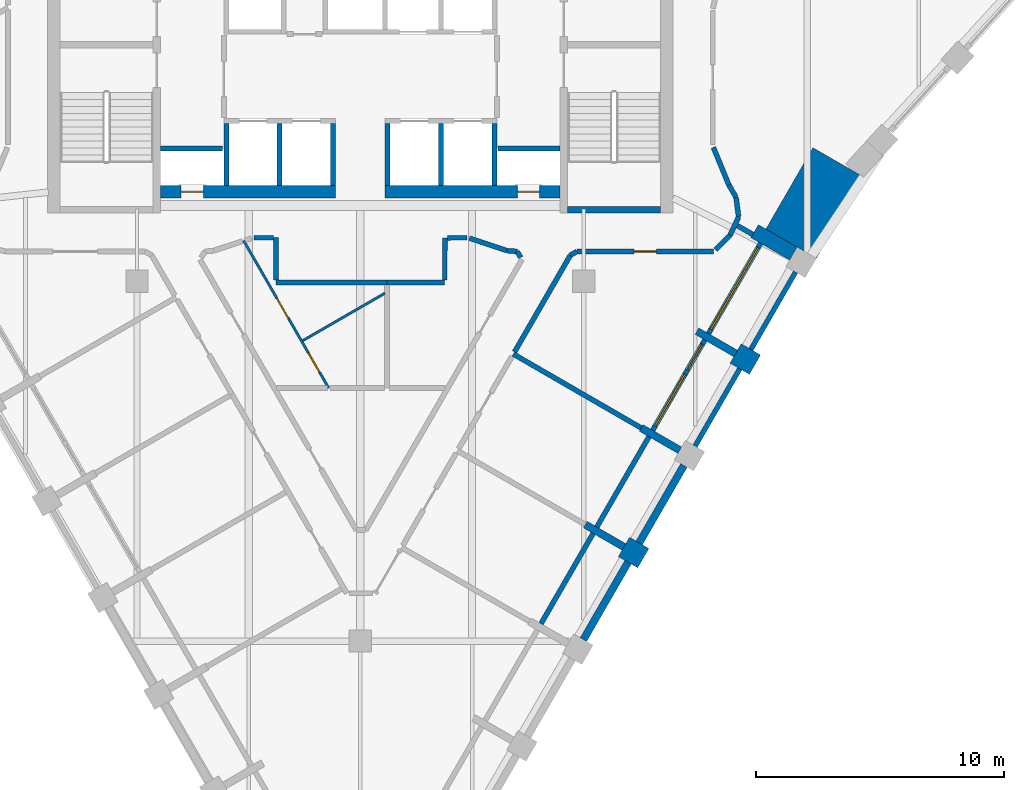
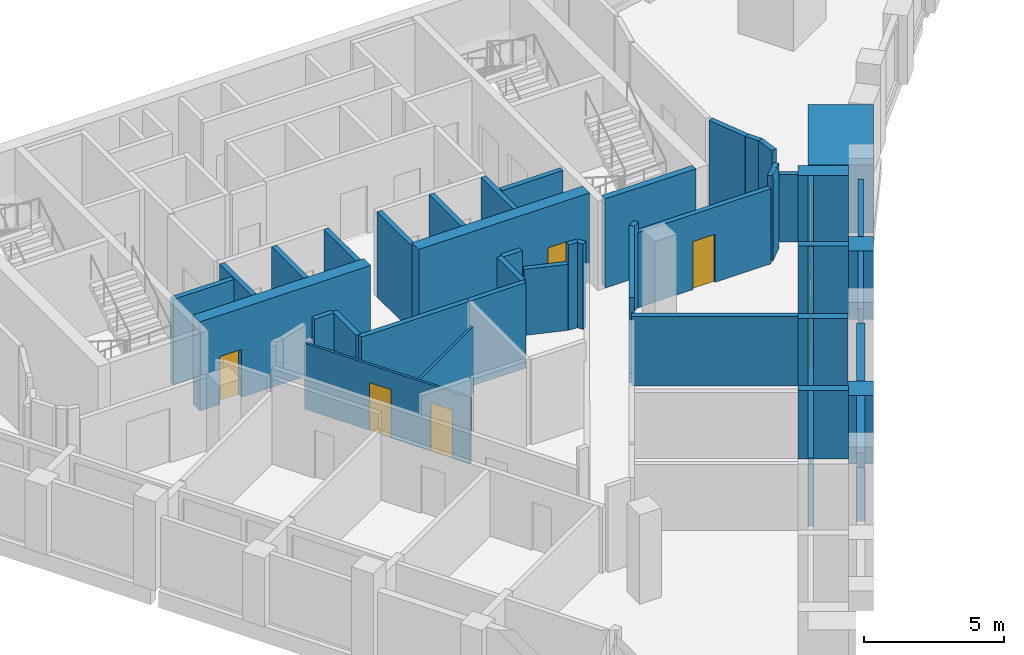
# One storey, part 4 of 8: 47 walls, 6 doors, 2 windows, 8 openings.
"""IFC4 building model written with IfcOpenShell, lengths in metres."""

from ifc_helpers import new_model, si_unit, direction, frame, frame_2d, origin, place, context, subcontext, project, spatial, polyline, rectangle, outline, extrude, material, layer, layer_set, type_object, element, fill, save


model = new_model("IFC4")

# Units and contexts
model_context = context("Model", 3, precision=1e-05, world=origin(), true_north=direction((0.0, 1.0)))
body_context = subcontext(model_context, "Body", "Model", "MODEL_VIEW")
ifc_project = project(units=[si_unit("LENGTHUNIT", "METRE"), si_unit("AREAUNIT", "SQUARE_METRE"), si_unit("VOLUMEUNIT", "CUBIC_METRE"), si_unit("PLANEANGLEUNIT", "RADIAN"), si_unit("MASSUNIT", "GRAM", prefix="KILO")], contexts=[model_context])

# Site, building, storey
site_placement = place(None, origin())
site = spatial("IfcSite", under=ifc_project, at=site_placement, CompositionType="ELEMENT")
building_placement = place(site_placement, origin())
building = spatial("IfcBuilding", under=site, at=building_placement, Name="Calabash Gate Tower", CompositionType="ELEMENT")
storey_placement = place(building_placement, frame((0.0, 0.0, 252.10009765625)))
storey = spatial("IfcBuildingStorey", under=building, at=storey_placement, Name="L60", CompositionType="ELEMENT", Elevation=252.10009765625)

# Walls
ifc_material_1 = material(Name="Terracotta brick masonry, exposed face", Category="masonry")
ifc_layer_1 = layer(ifc_material_1, 2.35009765625)
ifc_layer_set_1 = layer_set([ifc_layer_1], Name="Brick corner mass wall 2350")
wall_type_1 = type_object("IfcWallType", Name="Brick corner mass wall 2350", PredefinedType="SOLIDWALL", material=ifc_layer_set_1)
wall_1_placement = place(storey_placement, origin())
element("IfcWall", 1, at=wall_1_placement, inside=storey, type_object=wall_type_1, Name="Brick corner pier S17 2", PredefinedType="SOLIDWALL", context=body_context, shape_type="SweptSolid", body=[
    extrude(outline(polyline([(18.377685546875, 3.423828125), (18.377685546875, 3.423583984375), (18.377685546875, 3.423583984375), (20.271240234375, 6.703125), (18.236083984375, 7.878173828125), (16.342529296875, 4.5986328125), (17.598388671875, 3.873779296875), (17.598388671875, 3.873779296875), (18.377685546875, 3.423828125)])), origin(), (0.0, 0.0, 1.0), 2.973388671875),
])
ifc_material_2 = material(Name="Terracotta brick masonry, exposed face", Category="masonry")
ifc_layer_2 = layer(ifc_material_2, 0.89990234375)
ifc_layer_set_2 = layer_set([ifc_layer_2], Name="Brick end wall 900")
wall_type_2 = type_object("IfcWallType", Name="Brick end wall 900", PredefinedType="SOLIDWALL", material=ifc_layer_set_2)
wall_2_placement = place(storey_placement, frame((10.7880859375, -8.822021484375, 0.0), z_axis=(0.0, 0.0, 1.0), x_axis=(0.50001992892, 0.866013897511, 0.0)))
element("IfcWall", 2, at=wall_2_placement, inside=storey, type_object=wall_type_2, Name="Brick pier S17 SE2.3", PredefinedType="SOLIDWALL", context=body_context, shape_type="SweptSolid", body=[
    extrude(rectangle(XDim=0.89990234375, YDim=0.89990234375, at=frame_2d((0.449951171875, 0.0))), origin(), (0.0, 0.0, 1.0), 3.0),
])
wall_3_placement = place(storey_placement, frame((15.123291015625, -0.4130859375, 0.0), z_axis=(0.0, 0.0, 1.0), x_axis=(0.865964261186, -0.500105887137, 0.0)))
element("IfcWall", 3, at=wall_3_placement, inside=storey, type_object=wall_type_2, Name="Brick pier S17 SE2.5", PredefinedType="SOLIDWALL", context=body_context, shape_type="SweptSolid", body=[
    extrude(rectangle(XDim=0.900146484375, YDim=0.89990234375, at=frame_2d((0.4501953125, 0.0))), origin(), (0.0, 0.0, 1.0), 3.0),
])
ifc_material_3 = material(Name="Terracotta brick masonry, exposed face", Category="masonry")
ifc_layer_3 = layer(ifc_material_3, 0.300048828125)
ifc_layer_set_3 = layer_set([ifc_layer_3], Name="Brick infill panel wall 300")
wall_type_3 = type_object("IfcWallType", Name="Brick infill panel wall 300", PredefinedType="SOLIDWALL", material=ifc_layer_set_3)
for number, where, z_axis, x_axis, name in (
    (4, (8.988037109375, -11.939697265625, 0.0), (0.0, 0.0, 1.0), (0.500012057535, 0.866018442252, 0.0), "Brick panel S17 SE2.3"),
    (5, (11.238037109375, -8.042724609375, 0.0), (0.0, 0.0, 1.0), (0.500012057535, 0.866018442252, 0.0), "Brick panel S17 SE2.4"),
):
    element("IfcWall", number, at=place(storey_placement, frame(where, z_axis=z_axis, x_axis=x_axis)), inside=storey, type_object=wall_type_3, Name=name, PredefinedType="SOLIDWALL", context=body_context, shape_type="SweptSolid", body=[
        extrude(rectangle(XDim=3.60009765625, YDim=0.300048828125, at=frame_2d((1.800048828125, 0.0))), origin(), (0.0, 0.0, 1.0), 3.0),
    ])
ifc_material_4 = material(Name="Terracotta brick masonry, exposed face", Category="masonry")
ifc_layer_4 = layer(ifc_material_4, 0.300048828125)
ifc_layer_set_4 = layer_set([ifc_layer_4], Name="Brick loggia cheek wall 300")
wall_type_4 = type_object("IfcWallType", Name="Brick loggia cheek wall 300", PredefinedType="SOLIDWALL", material=ifc_layer_set_4)
wall_4_placement = place(storey_placement, frame((9.064453125, -7.307373046875, 0.0), z_axis=(0.0, 0.0, 1.0), x_axis=(0.865989075817, -0.500062916607, 0.0)))
element("IfcWall", 6, at=wall_4_placement, inside=storey, type_object=wall_type_4, Name="Loggia cheek S17 SE2.3", PredefinedType="SOLIDWALL", context=body_context, shape_type="SweptSolid", body=[
    extrude(rectangle(XDim=1.800048828125, YDim=0.300048828125, at=frame_2d((0.89990234375, 0.0))), origin(), (0.0, 0.0, 1.0), 3.0),
])
wall_5_placement = place(storey_placement, frame((11.314453125, -3.410400390625, 0.0), z_axis=(0.0, 0.0, 1.0), x_axis=(0.866029639064, -0.499992664208, 0.0)))
element("IfcWall", 7, at=wall_5_placement, inside=storey, type_object=wall_type_4, Name="Loggia cheek S17 SE2.4", PredefinedType="SOLIDWALL", context=body_context, shape_type="SweptSolid", body=[
    extrude(rectangle(XDim=1.798828125, YDim=0.300048828125, at=frame_2d((0.8994140625, 0.0))), origin(), (0.0, 0.0, 1.0), 3.0),
])
wall_6_placement = place(storey_placement, frame((15.123291015625, -0.4130859375, 0.0), z_axis=(0.0, 0.0, 1.0), x_axis=(-0.866047807691, 0.499961193289, 0.0)))
element("IfcWall", 8, at=wall_6_placement, inside=storey, type_object=wall_type_4, Name="Loggia cheek S17 SE2.5", PredefinedType="SOLIDWALL", context=body_context, shape_type="SweptSolid", body=[
    extrude(rectangle(XDim=1.800048828125, YDim=0.300048828125, at=frame_2d((0.89990234375, 0.0))), origin(), (0.0, 0.0, 1.0), 3.0),
])
wall_7_placement = place(storey_placement, frame((17.4482421875, 3.61376953125, 0.0), z_axis=(0.0, 0.0, 1.0), x_axis=(-0.865989075817, 0.500062916607, 0.0)))
element("IfcWall", 9, at=wall_7_placement, inside=storey, type_object=wall_type_4, Name="Loggia cheek S17 SE2.6", PredefinedType="SOLIDWALL", context=body_context, shape_type="SweptSolid", body=[
    extrude(rectangle(XDim=1.800048828125, YDim=0.60009765625, at=frame_2d((0.89990234375, 0.0))), origin(), (0.0, 0.0, 1.0), 2.949951171875),
])
ifc_material_5 = material(Name="Concrete C60/75", Category="concrete")
ifc_layer_5 = layer(ifc_material_5, 0.25)
ifc_layer_set_5 = layer_set([ifc_layer_5], Name="Core wall 250 Concrete C60/75")
wall_type_5 = type_object("IfcWallType", Name="Core wall 250 Concrete C60/75", PredefinedType="SHEAR", material=ifc_layer_set_5)
wall_8_placement = place(storey_placement, frame((8.35009765625, 5.377685546875, 0.0), z_axis=(0.0, 0.0, 1.0), x_axis=(1.0, 0.0, 0.0)))
element("IfcWall", 10, at=wall_8_placement, inside=storey, type_object=wall_type_5, Name="Core wall Z5-SSE L60", PredefinedType="SHEAR", context=body_context, shape_type="SweptSolid", body=[
    extrude(rectangle(XDim=3.75, YDim=0.25, at=frame_2d((1.875, 0.0))), origin(), (0.0, 0.0, 1.0), 3.89990234375),
])

# Wall, opening, door
ifc_material_6 = material(Name="Concrete C60/75", Category="concrete")
ifc_layer_6 = layer(ifc_material_6, 0.5)
ifc_layer_set_6 = layer_set([ifc_layer_6], Name="Core wall 500 Concrete C60/75")
wall_type_6 = type_object("IfcWallType", Name="Core wall 500 Concrete C60/75", PredefinedType="SHEAR", material=ifc_layer_set_6)
wall_9_placement = place(storey_placement, frame((-8.050048828125, 6.1025390625, 0.0), z_axis=(0.0, 0.0, 1.0), x_axis=(1.0, 0.0, 0.0)))
wall_9 = element("IfcWall", 11, at=wall_9_placement, inside=storey, type_object=wall_type_6, Name="Core wall Z5-SA L60", PredefinedType="SHEAR", context=body_context, shape_type="SweptSolid", body=[
    extrude(rectangle(XDim=7.050048828125, YDim=0.5, at=frame_2d((3.52490234375, 0.0))), origin(), (0.0, 0.0, 1.0), 3.89990234375),
])
opening_1_placement = place(wall_9_placement, frame((0.824951171875, 0.0, 0.0)))
opening_1 = element("IfcOpeningElement", 12, at=opening_1_placement, cuts=wall_9, Name="Opening O9-010", PredefinedType="OPENING", context=body_context, shape_type="SweptSolid", body=[
    extrude(rectangle(XDim=0.89990234375, YDim=2.10009765625, at=frame_2d((0.449951171875, 1.050048828125))), frame((0.0, 0.260009765625, 0.0), z_axis=(0.0, -1.0, 0.0), x_axis=(1.0, 0.0, 0.0)), (0.0, 0.0, 1.0), 0.52001953125),
])
ifc_material_7 = material(Name="Steel fire door set with fire-resisting glazing", Category="steel")
door_type_1 = type_object("IfcDoorType", Name="Fire door D07 900x2100 FD90", OperationType="NOTDEFINED", PredefinedType="DOOR", material=ifc_material_7)
door_1_placement = place(opening_1_placement, origin())
door_1 = element("IfcDoor", 13, at=door_1_placement, inside=storey, type_object=door_type_1, Name="Electrical Riser W door", OperationType="SINGLE_SWING_LEFT", OverallHeight=2.10009765625, OverallWidth=0.89990234375, PredefinedType="DOOR", context=body_context, shape_type="SweptSolid", body=[
    extrude(rectangle(XDim=0.89990234375, YDim=2.10009765625, at=frame_2d((0.449951171875, 1.050048828125))), frame((0.0, 0.02490234375, 0.0), z_axis=(0.0, -1.0, 0.0), x_axis=(1.0, 0.0, 0.0)), (0.0, 0.0, 1.0), 0.050048828125),
])
fill(opening_1, door_1)

wall_10_placement = place(storey_placement, frame((1.0, 6.1025390625, 0.0), z_axis=(0.0, 0.0, 1.0), x_axis=(1.0, 0.0, 0.0)))
wall_10 = element("IfcWall", 14, at=wall_10_placement, inside=storey, type_object=wall_type_6, Name="Core wall Z5-SB L60", PredefinedType="SHEAR", context=body_context, shape_type="SweptSolid", body=[
    extrude(rectangle(XDim=7.050048828125, YDim=0.5, at=frame_2d((3.52490234375, 0.0))), origin(), (0.0, 0.0, 1.0), 3.89990234375),
])
opening_2_placement = place(wall_10_placement, frame((5.324951171875, 0.0, 0.0)))
opening_2 = element("IfcOpeningElement", 15, at=opening_2_placement, cuts=wall_10, Name="Opening O9-009", PredefinedType="OPENING", context=body_context, shape_type="SweptSolid", body=[
    extrude(rectangle(XDim=0.89990234375, YDim=2.10009765625, at=frame_2d((0.449951171875, 1.050048828125))), frame((0.0, 0.260009765625, 0.0), z_axis=(0.0, -1.0, 0.0), x_axis=(1.0, 0.0, 0.0)), (0.0, 0.0, 1.0), 0.52001953125),
])
door_2_placement = place(opening_2_placement, origin())
door_2 = element("IfcDoor", 16, at=door_2_placement, inside=storey, type_object=door_type_1, Name="Mechanical Riser E door", OperationType="SINGLE_SWING_RIGHT", OverallHeight=2.10009765625, OverallWidth=0.89990234375, PredefinedType="DOOR", context=body_context, shape_type="SweptSolid", body=[
    extrude(rectangle(XDim=0.89990234375, YDim=2.10009765625, at=frame_2d((0.449951171875, 1.050048828125))), frame((0.0, 0.02490234375, 0.0), z_axis=(0.0, -1.0, 0.0), x_axis=(1.0, 0.0, 0.0)), (0.0, 0.0, 1.0), 0.050048828125),
])
fill(opening_2, door_2)

# Wall
ifc_material_8 = material(Name="Gypsum board on steel studs, mineral wool", Category="steel")
ifc_layer_7 = layer(ifc_material_8, 0.10009765625)
ifc_layer_set_7 = layer_set([ifc_layer_7], Name="Partition 100 gypsum board")
wall_type_7 = type_object("IfcWallType", Name="Partition 100 gypsum board", PredefinedType="PARTITIONING", material=ifc_layer_set_7)
wall_11_placement = place(storey_placement, frame((-2.320068359375, 0.105712890625, 0.0), z_axis=(0.0, 0.0, 1.0), x_axis=(0.866013238859, 0.500021069677, 0.0)))
element("IfcWall", 17, at=wall_11_placement, inside=storey, type_object=wall_type_7, Name="Partition", PredefinedType="PARTITIONING", context=body_context, shape_type="SweptSolid", body=[
    extrude(rectangle(XDim=3.821533203125, YDim=0.10009765625, at=frame_2d((1.91064453125, 0.0))), origin(), (0.0, 0.0, 1.0), 2.884033203125),
])

# Wall, openings, doors
wall_12_placement = place(storey_placement, frame((-4.702392578125, 4.13232421875, 0.0), z_axis=(0.0, 0.0, 1.0), x_axis=(0.499966025771, -0.866045017926, 0.0)))
wall_12 = element("IfcWall", 18, at=wall_12_placement, inside=storey, type_object=wall_type_7, Name="Partition", PredefinedType="PARTITIONING", context=body_context, shape_type="SweptSolid", body=[
    extrude(rectangle(XDim=6.8544921875, YDim=0.10009765625, at=frame_2d((3.42724609375, 0.0))), origin(), (0.0, 0.0, 1.0), 2.884033203125),
])
opening_3_placement = place(wall_12_placement, frame((2.68798828125, 0.0, 0.0)))
opening_3 = element("IfcOpeningElement", 19, at=opening_3_placement, cuts=wall_12, Name="Opening 59-61-014", PredefinedType="OPENING", context=body_context, shape_type="SweptSolid", body=[
    extrude(rectangle(XDim=0.89990234375, YDim=2.10009765625, at=frame_2d((0.449951171875, 1.050048828125))), frame((0.0, 0.06005859375, 0.0), z_axis=(0.0, -1.0, 0.0), x_axis=(1.0, 0.0, 0.0)), (0.0, 0.0, 1.0), 0.1201171875),
])
opening_4_placement = place(wall_12_placement, frame((5.215576171875, 0.0, 0.0)))
opening_4 = element("IfcOpeningElement", 20, at=opening_4_placement, cuts=wall_12, Name="Opening 59-61-015", PredefinedType="OPENING", context=body_context, shape_type="SweptSolid", body=[
    extrude(rectangle(XDim=0.89990234375, YDim=2.10009765625, at=frame_2d((0.449951171875, 1.050048828125))), frame((0.0, 0.06005859375, 0.0), z_axis=(0.0, -1.0, 0.0), x_axis=(1.0, 0.0, 0.0)), (0.0, 0.0, 1.0), 0.1201171875),
])
ifc_material_9 = material(Name="Painted timber door", Category="wood")
door_type_2 = type_object("IfcDoorType", Name="WD1 WC door 900x2100", OperationType="NOTDEFINED", PredefinedType="DOOR", material=ifc_material_9)
door_3_placement = place(opening_3_placement, origin())
door_3 = element("IfcDoor", 21, at=door_3_placement, inside=storey, type_object=door_type_2, Name="WC door", OperationType="SINGLE_SWING_LEFT", OverallHeight=2.10009765625, OverallWidth=0.89990234375, PredefinedType="DOOR", context=body_context, shape_type="SweptSolid", body=[
    extrude(rectangle(XDim=0.89990234375, YDim=2.10009765625, at=frame_2d((0.449951171875, 1.050048828125))), frame((0.0, 0.02490234375, 0.0), z_axis=(0.0, -1.0, 0.0), x_axis=(1.0, 0.0, 0.0)), (0.0, 0.0, 1.0), 0.050048828125),
])
fill(opening_3, door_3)
door_4_placement = place(opening_4_placement, origin())
door_4 = element("IfcDoor", 22, at=door_4_placement, inside=storey, type_object=door_type_2, Name="WC door", OperationType="SINGLE_SWING_RIGHT", OverallHeight=2.10009765625, OverallWidth=0.89990234375, PredefinedType="DOOR", context=body_context, shape_type="SweptSolid", body=[
    extrude(rectangle(XDim=0.89990234375, YDim=2.10009765625, at=frame_2d((0.449951171875, 1.050048828125))), frame((0.0, 0.02490234375, 0.0), z_axis=(0.0, -1.0, 0.0), x_axis=(1.0, 0.0, 0.0)), (0.0, 0.0, 1.0), 0.050048828125),
])
fill(opening_4, door_4)

# Walls
ifc_material_10 = material(Name="Gypsum board on steel studs, mineral wool", Category="steel")
ifc_layer_8 = layer(ifc_material_10, 0.199951171875)
ifc_layer_set_8 = layer_set([ifc_layer_8], Name="Partition 200 gypsum board EI 60")
wall_type_8 = type_object("IfcWallType", Name="Partition 200 gypsum board EI 60", PredefinedType="PARTITIONING", material=ifc_layer_set_8)
wall_13_placement = place(storey_placement, frame((6.1630859375, -0.433837890625, 0.0), z_axis=(0.0, 0.0, 1.0), x_axis=(0.865895092647, -0.500225637618, 0.0)))
element("IfcWall", 23, at=wall_13_placement, inside=storey, type_object=wall_type_8, Name="Partition", PredefinedType="PARTITIONING", context=body_context, shape_type="SweptSolid", body=[
    extrude(rectangle(XDim=5.949462890625, YDim=0.199951171875, at=frame_2d((2.974609375, 0.0))), origin(), (0.0, 0.0, 1.0), 3.0517578125),
])
wall_14_placement = place(storey_placement, frame((-3.400146484375, 2.452392578125, 0.0), z_axis=(0.0, 0.0, 1.0), x_axis=(0.999999927065, -0.000381929261, 0.0)))
element("IfcWall", 24, at=wall_14_placement, inside=storey, type_object=wall_type_8, Name="Partition", PredefinedType="PARTITIONING", context=body_context, shape_type="SweptSolid", body=[
    extrude(rectangle(XDim=4.474609375, YDim=0.199951171875, at=frame_2d((2.2373046875, 0.0))), origin(), (0.0, 0.0, 1.0), 3.72998046875),
])
wall_15_placement = place(storey_placement, frame((1.076416015625, 2.45068359375, 0.0), z_axis=(0.0, 0.0, 1.0), x_axis=(0.999999729558, 0.000735448425, 0.0)))
element("IfcWall", 25, at=wall_15_placement, inside=storey, type_object=wall_type_8, Name="Partition", PredefinedType="PARTITIONING", context=body_context, shape_type="SweptSolid", body=[
    extrude(rectangle(XDim=2.32373046875, YDim=0.199951171875, at=frame_2d((1.161865234375, 0.0))), origin(), (0.0, 0.0, 1.0), 3.72998046875),
])
wall_16_placement = place(storey_placement, frame((-3.400146484375, 4.25244140625, 0.0), z_axis=(0.0, 0.0, 1.0), x_axis=(0.0, -1.0, 0.0)))
element("IfcWall", 26, at=wall_16_placement, inside=storey, type_object=wall_type_8, Name="Partition", PredefinedType="PARTITIONING", context=body_context, shape_type="SweptSolid", body=[
    extrude(rectangle(XDim=1.699951171875, YDim=0.199951171875, at=frame_2d((0.85009765625, 0.0))), origin(), (0.0, 0.0, 1.0), 3.72998046875),
])
wall_17_placement = place(storey_placement, frame((6.3203125, 3.69970703125, 0.0), z_axis=(0.0, 0.0, 1.0), x_axis=(0.499973348067, -0.866040790738, 0.0)))
element("IfcWall", 27, at=wall_17_placement, inside=storey, type_object=wall_type_8, Name="Partition", PredefinedType="PARTITIONING", context=body_context, shape_type="SweptSolid", body=[
    extrude(rectangle(XDim=0.28076171875, YDim=0.199951171875, at=frame_2d((0.140380859375, 0.0))), origin(), (0.0, 0.0, 1.0), 3.72998046875),
])
wall_18_placement = place(storey_placement, frame((6.213623046875, -0.34912109375, 0.0), z_axis=(0.0, 0.0, 1.0), x_axis=(0.499747517155, 0.866171125758, 0.0)))
element("IfcWall", 28, at=wall_18_placement, inside=storey, type_object=wall_type_8, Name="Partition", PredefinedType="PARTITIONING", context=body_context, shape_type="SweptSolid", body=[
    extrude(rectangle(XDim=4.497314453125, YDim=0.199951171875, at=frame_2d((2.24853515625, 0.0))), origin(), (0.0, 0.0, 1.0), 3.72998046875),
])
wall_19_placement = place(storey_placement, frame((8.461181640625, 3.54638671875, 0.0), z_axis=(0.0, 0.0, 1.0), x_axis=(0.865826662844, 0.500344071524, 0.0)))
element("IfcWall", 29, at=wall_19_placement, inside=storey, type_object=wall_type_8, Name="Partition", PredefinedType="PARTITIONING", context=body_context, shape_type="SweptSolid", body=[
    extrude(rectangle(XDim=0.305908203125, YDim=0.199951171875, at=frame_2d((0.15283203125, 0.0))), origin(), (0.0, 0.0, 1.0), 3.72998046875),
])

# Wall, opening, door
wall_20_placement = place(storey_placement, frame((8.72607421875, 3.699462890625, 0.0), z_axis=(0.0, 0.0, 1.0), x_axis=(1.0, 0.0, 0.0)))
wall_20 = element("IfcWall", 30, at=wall_20_placement, inside=storey, type_object=wall_type_8, Name="Partition", PredefinedType="PARTITIONING", context=body_context, shape_type="SweptSolid", body=[
    extrude(rectangle(XDim=5.513916015625, YDim=0.199951171875, at=frame_2d((2.7568359375, 0.0))), origin(), (0.0, 0.0, 1.0), 3.281982421875),
])
opening_5_placement = place(wall_20_placement, frame((2.306884765625, 0.0, 0.0)))
opening_5 = element("IfcOpeningElement", 31, at=opening_5_placement, cuts=wall_20, Name="Opening 59-61-011", PredefinedType="OPENING", context=body_context, shape_type="SweptSolid", body=[
    extrude(rectangle(XDim=0.89990234375, YDim=2.10009765625, at=frame_2d((0.449951171875, 1.050048828125))), frame((0.0, 0.10986328125, 0.0), z_axis=(0.0, -1.0, 0.0), x_axis=(1.0, 0.0, 0.0)), (0.0, 0.0, 1.0), 0.219970703125),
])
ifc_material_11 = material(Name="Steel fire door set with fire-resisting glazing", Category="steel")
door_type_3 = type_object("IfcDoorType", Name="SD3 Store door 900x2100", OperationType="NOTDEFINED", PredefinedType="DOOR", material=ifc_material_11)
door_5_placement = place(opening_5_placement, origin())
door_5 = element("IfcDoor", 32, at=door_5_placement, inside=storey, type_object=door_type_3, Name="Store door", OperationType="SINGLE_SWING_RIGHT", OverallHeight=2.10009765625, OverallWidth=0.89990234375, PredefinedType="DOOR", context=body_context, shape_type="SweptSolid", body=[
    extrude(rectangle(XDim=0.89990234375, YDim=2.10009765625, at=frame_2d((0.449951171875, 1.050048828125))), frame((0.0, 0.02490234375, 0.0), z_axis=(0.0, -1.0, 0.0), x_axis=(1.0, 0.0, 0.0)), (0.0, 0.0, 1.0), 0.050048828125),
])
fill(opening_5, door_5)

# Walls
wall_21_placement = place(storey_placement, frame((4.392578125, 4.235595703125, 0.0), z_axis=(0.0, 0.0, 1.0), x_axis=(0.948729076189, -0.316090398453, 0.0)))
element("IfcWall", 33, at=wall_21_placement, inside=storey, type_object=wall_type_8, Name="Partition", PredefinedType="PARTITIONING", context=body_context, shape_type="SweptSolid", body=[
    extrude(rectangle(XDim=1.599609375, YDim=0.199951171875, at=frame_2d((0.7998046875, 0.0))), origin(), (0.0, 0.0, 1.0), 2.884033203125),
])
wall_22_placement = place(storey_placement, frame((5.91015625, 3.72998046875, 0.0), z_axis=(0.0, 0.0, 1.0), x_axis=(0.997287156444, -0.073609290118, 0.0)))
element("IfcWall", 34, at=wall_22_placement, inside=storey, type_object=wall_type_8, Name="Partition", PredefinedType="PARTITIONING", context=body_context, shape_type="SweptSolid", body=[
    extrude(rectangle(XDim=0.411376953125, YDim=0.199951171875, at=frame_2d((0.20556640625, 0.0))), origin(), (0.0, 0.0, 1.0), 3.72998046875),
])
wall_23_placement = place(storey_placement, frame((-4.2890625, 4.25244140625, 0.0), z_axis=(0.0, 0.0, 1.0), x_axis=(1.0, 0.0, 0.0)))
element("IfcWall", 35, at=wall_23_placement, inside=storey, type_object=wall_type_8, Name="Partition", PredefinedType="PARTITIONING", context=body_context, shape_type="SweptSolid", body=[
    extrude(rectangle(XDim=0.788818359375, YDim=0.199951171875, at=frame_2d((0.39453125, 0.0))), origin(), (0.0, 0.0, 1.0), 3.72998046875),
])
wall_24_placement = place(storey_placement, frame((3.400146484375, 2.552490234375, 0.0), z_axis=(0.0, 0.0, 1.0), x_axis=(0.001150250857, 0.999999338461, 0.0)))
element("IfcWall", 36, at=wall_24_placement, inside=storey, type_object=wall_type_8, Name="Partition", PredefinedType="PARTITIONING", context=body_context, shape_type="SweptSolid", body=[
    extrude(rectangle(XDim=1.697998046875, YDim=0.199951171875, at=frame_2d((0.84912109375, 0.0))), origin(), (0.0, 0.0, 1.0), 3.72998046875),
])
wall_25_placement = place(storey_placement, frame((3.501953125, 4.250732421875, 0.0), z_axis=(0.0, 0.0, 1.0), x_axis=(0.999997642919, 0.002171210763, 0.0)))
element("IfcWall", 37, at=wall_25_placement, inside=storey, type_object=wall_type_8, Name="Partition", PredefinedType="PARTITIONING", context=body_context, shape_type="SweptSolid", body=[
    extrude(rectangle(XDim=0.787109375, YDim=0.199951171875, at=frame_2d((0.3935546875, 0.0))), origin(), (0.0, 0.0, 1.0), 3.72998046875),
])
wall_26_placement = place(storey_placement, frame((14.310791015625, 3.770263671875, 0.0), z_axis=(0.0, 0.0, 1.0), x_axis=(0.707253195258, 0.706960336792, 0.0)))
element("IfcWall", 38, at=wall_26_placement, inside=storey, type_object=wall_type_8, Name="Partition", PredefinedType="PARTITIONING", context=body_context, shape_type="SweptSolid", body=[
    extrude(rectangle(XDim=0.833740234375, YDim=0.199951171875, at=frame_2d((0.4169921875, 0.0))), origin(), (0.0, 0.0, 1.0), 3.72998046875),
])
wall_27_placement = place(storey_placement, frame((14.900390625, 4.359619140625, 0.0), z_axis=(0.0, 0.0, 1.0), x_axis=(0.423133460634, 0.906067367524, 0.0)))
element("IfcWall", 39, at=wall_27_placement, inside=storey, type_object=wall_type_8, Name="Partition", PredefinedType="PARTITIONING", context=body_context, shape_type="SweptSolid", body=[
    extrude(rectangle(XDim=0.808349609375, YDim=0.199951171875, at=frame_2d((0.404296875, 0.0))), origin(), (0.0, 0.0, 1.0), 2.949951171875),
])
wall_28_placement = place(storey_placement, frame((15.189697265625, 4.74267578125, 0.0), z_axis=(0.0, 0.0, 1.0), x_axis=(0.867114884312, -0.498108198491, 0.0)))
element("IfcWall", 40, at=wall_28_placement, inside=storey, type_object=wall_type_8, Name="Partition", PredefinedType="PARTITIONING", context=body_context, shape_type="SweptSolid", body=[
    extrude(rectangle(XDim=0.720458984375, YDim=0.199951171875, at=frame_2d((0.3603515625, 0.0))), origin(), (0.0, 0.0, 1.0), 2.949951171875),
])
wall_29_placement = place(storey_placement, frame((15.137451171875, 5.88916015625, 0.0), z_axis=(0.0, 0.0, 1.0), x_axis=(0.130572336197, -0.991438785312, 0.0)))
element("IfcWall", 41, at=wall_29_placement, inside=storey, type_object=wall_type_8, Name="Partition", PredefinedType="PARTITIONING", context=body_context, shape_type="SweptSolid", body=[
    extrude(rectangle(XDim=0.803955078125, YDim=0.199951171875, at=frame_2d((0.40185546875, 0.0))), origin(), (0.0, 0.0, 1.0), 3.72998046875),
])
wall_30_placement = place(storey_placement, frame((14.8505859375, 6.37353515625, 0.0), z_axis=(0.0, 0.0, 1.0), x_axis=(0.509576505793, -0.860425351058, 0.0)))
element("IfcWall", 42, at=wall_30_placement, inside=storey, type_object=wall_type_8, Name="Partition", PredefinedType="PARTITIONING", context=body_context, shape_type="SweptSolid", body=[
    extrude(rectangle(XDim=0.56298828125, YDim=0.199951171875, at=frame_2d((0.281494140625, 0.0))), origin(), (0.0, 0.0, 1.0), 3.72998046875),
])
wall_31_placement = place(storey_placement, frame((14.22509765625, 7.892822265625, 0.0), z_axis=(0.0, 0.0, 1.0), x_axis=(0.380697489052, -0.924699638709, 0.0)))
element("IfcWall", 43, at=wall_31_placement, inside=storey, type_object=wall_type_8, Name="Partition", PredefinedType="PARTITIONING", context=body_context, shape_type="SweptSolid", body=[
    extrude(rectangle(XDim=1.64306640625, YDim=0.199951171875, at=frame_2d((0.821533203125, 0.0))), origin(), (0.0, 0.0, 1.0), 3.72998046875),
])
ifc_material_12 = material(Name="Concrete C40/50", Category="concrete")
ifc_layer_9 = layer(ifc_material_12, 0.199951171875)
ifc_layer_set_9 = layer_set([ifc_layer_9], Name="Shaft wall 200 Concrete C40/50")
wall_type_9 = type_object("IfcWallType", Name="Shaft wall 200 Concrete C40/50", PredefinedType="SOLIDWALL", material=ifc_layer_set_9)
for number, where, z_axis, x_axis, name in (
    (44, (-5.39990234375, 6.3525390625, 0.0), (0.0, 0.0, 1.0), (0.0, 1.0, 0.0), "Shaft wall"),
    (45, (-3.25, 6.3525390625, 0.0), (0.0, 0.0, 1.0), (0.0, 1.0, 0.0), "Shaft wall"),
    (46, (-1.10009765625, 6.3525390625, 0.0), (0.0, 0.0, 1.0), (0.0, 1.0, 0.0), "Shaft wall"),
    (47, (1.10009765625, 6.3525390625, 0.0), (0.0, 0.0, 1.0), (0.0, 1.0, 0.0), "Shaft wall"),
    (48, (3.25, 6.3525390625, 0.0), (0.0, 0.0, 1.0), (0.0, 1.0, 0.0), "Shaft wall"),
    (49, (5.39990234375, 6.3525390625, 0.0), (0.0, 0.0, 1.0), (0.0, 1.0, 0.0), "Shaft wall"),
    (50, (-8.050048828125, 7.8525390625, 0.0), (0.0, 0.0, 1.0), (1.0, 0.0, 0.0), "Shaft wall"),
    (51, (5.550048828125, 7.8525390625, 0.0), (0.0, 0.0, 1.0), (1.0, 0.0, 0.0), "Shaft wall"),
):
    element("IfcWall", number, at=place(storey_placement, frame(where, z_axis=z_axis, x_axis=x_axis)), inside=storey, type_object=wall_type_9, Name=name, PredefinedType="SOLIDWALL", context=body_context, shape_type="SweptSolid", body=[
        extrude(rectangle(XDim=2.5, YDim=0.199951171875, at=frame_2d((1.25, 0.0))), origin(), (0.0, 0.0, 1.0), 3.72998046875),
    ])
ifc_material_13 = material(Name="Terracotta brick masonry, perforated", Category="masonry")
ifc_layer_10 = layer(ifc_material_13, 0.199951171875)
ifc_layer_set_10 = layer_set([ifc_layer_10], Name="Terracotta jaali screen A")
wall_type_10 = type_object("IfcWallType", Name="Terracotta jaali screen A", PredefinedType="SOLIDWALL", material=ifc_layer_set_10)
wall_32_placement = place(storey_placement, origin())
element("IfcWall", 52, at=wall_32_placement, inside=storey, type_object=wall_type_10, Name="SCREEN A S17 SE2.5", PredefinedType="SOLIDWALL", context=body_context, shape_type="SweptSolid", body=[
    extrude(outline(polyline([(15.201416015625, -0.977783203125), (13.40234375, -4.09375), (13.57568359375, -4.19384765625), (15.37451171875, -1.077880859375), (15.201416015625, -0.977783203125)])), origin(), (0.0, 0.0, 1.0), 3.0),
])
wall_33_placement = place(storey_placement, frame((15.738037109375, -0.24853515625, 0.0), z_axis=(0.0, 0.0, 1.0), x_axis=(0.500012057535, 0.866018442252, 0.0)))
element("IfcWall", 53, at=wall_33_placement, inside=storey, type_object=wall_type_10, Name="SCREEN A S17 SE2.6", PredefinedType="SOLIDWALL", context=body_context, shape_type="SweptSolid", body=[
    extrude(rectangle(XDim=3.60009765625, YDim=0.199951171875, at=frame_2d((1.800048828125, 0.0))), origin(), (0.0, 0.0, 1.0), 3.0),
])
ifc_material_14 = material(Name="Aluminium framed window wall with insulated spandrel", Category="aluminium")
ifc_layer_11 = layer(ifc_material_14, 0.199951171875)
ifc_layer_set_11 = layer_set([ifc_layer_11], Name="Window wall 200")
wall_type_11 = type_object("IfcWallType", Name="Window wall 200", PredefinedType="ELEMENTEDWALL", material=ifc_layer_set_11)
wall_34_placement = place(storey_placement, frame((7.279052734375, -11.299560546875, 0.0), z_axis=(0.0, 0.0, 1.0), x_axis=(0.500027713859, 0.866009402589, 0.0)))
element("IfcWall", 54, at=wall_34_placement, inside=storey, type_object=wall_type_11, Name="Window wall S17 SE2.3", PredefinedType="ELEMENTEDWALL", context=body_context, shape_type="SweptSolid", body=[
    extrude(rectangle(XDim=4.199951171875, YDim=0.199951171875, at=frame_2d((2.10009765625, 0.0))), origin(), (0.0, 0.0, 1.0), 3.0),
])
wall_35_placement = place(storey_placement, frame((9.529052734375, -7.402587890625, 0.0), z_axis=(0.0, 0.0, 1.0), x_axis=(0.500002543286, 0.866023935413, 0.0)))
element("IfcWall", 55, at=wall_35_placement, inside=storey, type_object=wall_type_11, Name="Window wall S17 SE2.4", PredefinedType="ELEMENTEDWALL", context=body_context, shape_type="SweptSolid", body=[
    extrude(rectangle(XDim=4.2001953125, YDim=0.199951171875, at=frame_2d((2.10009765625, 0.0))), origin(), (0.0, 0.0, 1.0), 3.0),
])

# Wall, openings, door, window
wall_36_placement = place(storey_placement, frame((11.779052734375, -3.50537109375, 0.0), z_axis=(0.0, 0.0, 1.0), x_axis=(0.500027713859, 0.866009402589, 0.0)))
wall_36 = element("IfcWall", 56, at=wall_36_placement, inside=storey, type_object=wall_type_11, Name="Window wall S17 SE2.5", PredefinedType="ELEMENTEDWALL", context=body_context, shape_type="SweptSolid", body=[
    extrude(rectangle(XDim=4.199951171875, YDim=0.199951171875, at=frame_2d((2.10009765625, 0.0))), origin(), (0.0, 0.0, 1.0), 3.0),
])
opening_6_placement = place(wall_36_placement, frame((0.199951171875, 0.0, 0.449951171875)))
opening_6 = element("IfcOpeningElement", 57, at=opening_6_placement, cuts=wall_36, Name="Opening OW1", PredefinedType="OPENING", context=body_context, shape_type="SweptSolid", body=[
    extrude(rectangle(XDim=2.39990234375, YDim=2.25, at=frame_2d((1.199951171875, 1.125))), frame((0.0, 0.10986328125, 0.0), z_axis=(0.0, -1.0, 0.0), x_axis=(1.0, 0.0, 0.0)), (0.0, 0.0, 1.0), 0.219970703125),
])
opening_7_placement = place(wall_36_placement, frame((2.800048828125, 0.0, 0.0)))
opening_7 = element("IfcOpeningElement", 58, at=opening_7_placement, cuts=wall_36, Name="Opening O9-016", PredefinedType="OPENING", context=body_context, shape_type="SweptSolid", body=[
    extrude(rectangle(XDim=1.199951171875, YDim=2.699951171875, at=frame_2d((0.60009765625, 1.35009765625))), frame((0.0, 0.10986328125, 0.0), z_axis=(0.0, -1.0, 0.0), x_axis=(1.0, 0.0, 0.0)), (0.0, 0.0, 1.0), 0.219970703125),
])
ifc_material_15 = material(Name="Anodised aluminium frame, bronze finish, impact-rated laminated clear glazing", Category="aluminium")
door_type_4 = type_object("IfcDoorType", Name="Loggia door DO1 1200x2700", OperationType="SLIDING_TO_LEFT", PredefinedType="DOOR", material=ifc_material_15)
door_6_placement = place(opening_7_placement, origin())
door_6 = element("IfcDoor", 59, at=door_6_placement, inside=storey, type_object=door_type_4, Name="Loggia door S17 SE2.5", OperationType="SINGLE_SWING_LEFT", OverallHeight=2.699951171875, OverallWidth=1.199951171875, PredefinedType="DOOR", context=body_context, shape_type="SweptSolid", body=[
    extrude(rectangle(XDim=1.199951171875, YDim=2.699951171875, at=frame_2d((0.60009765625, 1.35009765625))), frame((0.0, 0.02490234375, 0.0), z_axis=(0.0, -1.0, 0.0), x_axis=(1.0, 0.0, 0.0)), (0.0, 0.0, 1.0), 0.050048828125),
])
fill(opening_7, door_6)
ifc_material_16 = material(Name="Anodised aluminium frame, bronze finish, impact-rated laminated clear glazing", Category="aluminium")
window_type_1 = type_object("IfcWindowType", Name="Window OW1 2400x2250", PartitioningType="DOUBLE_PANEL_VERTICAL", PredefinedType="WINDOW", material=ifc_material_16)
window_1_placement = place(opening_6_placement, origin())
window_1 = element("IfcWindow", 60, at=window_1_placement, inside=storey, type_object=window_type_1, Name="Window OW1 S17 SE2.5", OverallHeight=2.25, OverallWidth=2.39990234375, PartitioningType="SINGLE_PANEL", PredefinedType="WINDOW", context=body_context, shape_type="SweptSolid", body=[
    extrude(rectangle(XDim=2.39990234375, YDim=2.25, at=frame_2d((1.199951171875, 1.125))), frame((0.0, 0.030029296875, 0.0), z_axis=(0.0, -1.0, 0.0), x_axis=(1.0, 0.0, 0.0)), (0.0, 0.0, 1.0), 0.06005859375),
])
fill(opening_6, window_1)

# Wall, opening, window
wall_37_placement = place(storey_placement, frame((14.029052734375, 0.391845703125, 0.0), z_axis=(0.0, 0.0, 1.0), x_axis=(0.500027713859, 0.866009402589, 0.0)))
wall_37 = element("IfcWall", 61, at=wall_37_placement, inside=storey, type_object=wall_type_11, Name="Window wall S17 SE2.6", PredefinedType="ELEMENTEDWALL", context=body_context, shape_type="SweptSolid", body=[
    extrude(rectangle(XDim=4.199951171875, YDim=0.199951171875, at=frame_2d((2.10009765625, 0.0))), origin(), (0.0, 0.0, 1.0), 2.949951171875),
])
opening_8_placement = place(wall_37_placement, frame((0.199951171875, 0.0, 0.449951171875)))
opening_8 = element("IfcOpeningElement", 62, at=opening_8_placement, cuts=wall_37, Name="Opening OW2", PredefinedType="OPENING", context=body_context, shape_type="SweptSolid", body=[
    extrude(rectangle(XDim=3.800048828125, YDim=2.25, at=frame_2d((1.89990234375, 1.125))), frame((0.0, 0.10986328125, 0.0), z_axis=(0.0, -1.0, 0.0), x_axis=(1.0, 0.0, 0.0)), (0.0, 0.0, 1.0), 0.219970703125),
])
ifc_material_17 = material(Name="Anodised aluminium frame, bronze finish, impact-rated laminated clear glazing", Category="aluminium")
window_type_2 = type_object("IfcWindowType", Name="Window OW2 3800x2250", PartitioningType="TRIPLE_PANEL_VERTICAL", PredefinedType="WINDOW", material=ifc_material_17)
window_2_placement = place(opening_8_placement, origin())
window_2 = element("IfcWindow", 63, at=window_2_placement, inside=storey, type_object=window_type_2, Name="Window OW2 S17 SE2.6", OverallHeight=2.25, OverallWidth=3.800048828125, PartitioningType="SINGLE_PANEL", PredefinedType="WINDOW", context=body_context, shape_type="SweptSolid", body=[
    extrude(rectangle(XDim=3.800048828125, YDim=2.25, at=frame_2d((1.89990234375, 1.125))), frame((0.0, 0.030029296875, 0.0), z_axis=(0.0, -1.0, 0.0), x_axis=(1.0, 0.0, 0.0)), (0.0, 0.0, 1.0), 0.06005859375),
])
fill(opening_8, window_2)

save(model, "model.ifc")
